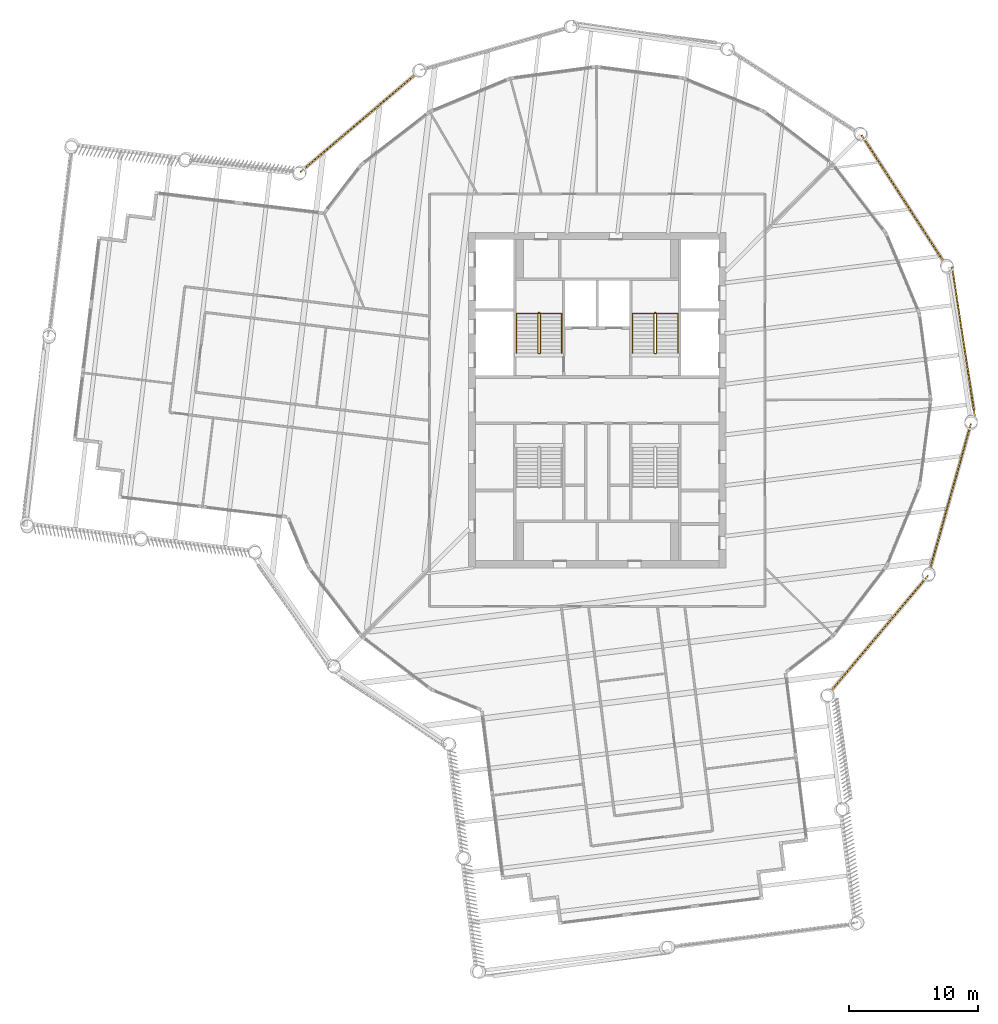
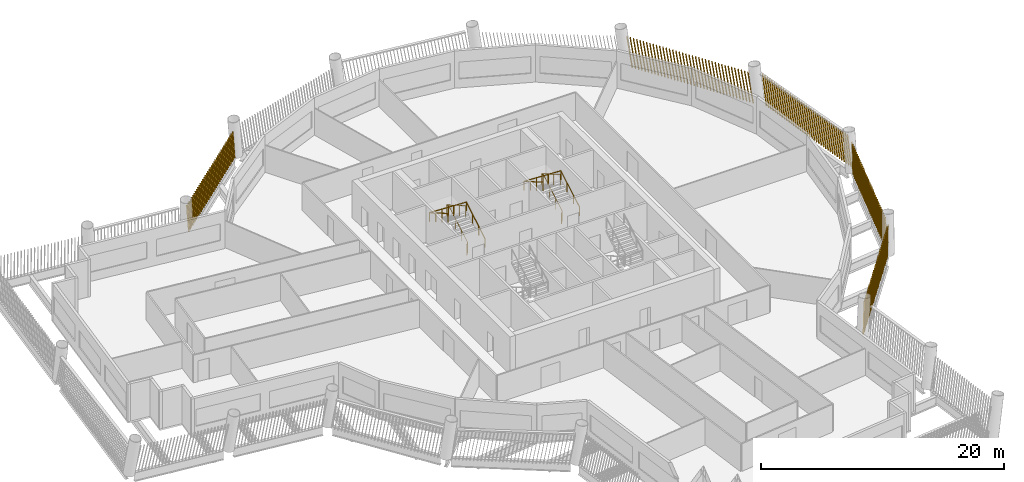
# One storey, part 12 of 14: 5 shading devices, 4 railings.
"""IFC4 building model written with IfcOpenShell, lengths in metres."""

from ifc_helpers import new_model, si_unit, direction, frame, frame_2d, origin, origin_2d, place, context, subcontext, project, spatial, rectangle, circle, composite_profile, extrude, material, type_object, element, save


model = new_model("IFC4")

# Units and contexts
model_context = context("Model", 3, precision=1e-05, world=origin(), true_north=direction((0.0, 1.0)))
body_context = subcontext(model_context, "Body", "Model", "MODEL_VIEW")
ifc_project = project(units=[si_unit("LENGTHUNIT", "METRE"), si_unit("AREAUNIT", "SQUARE_METRE"), si_unit("VOLUMEUNIT", "CUBIC_METRE"), si_unit("PLANEANGLEUNIT", "RADIAN"), si_unit("MASSUNIT", "GRAM", prefix="KILO")], contexts=[model_context])

# Site, building, storey
site_placement = place(None, origin())
site = spatial("IfcSite", under=ifc_project, at=site_placement, CompositionType="ELEMENT")
building_placement = place(site_placement, origin())
building = spatial("IfcBuilding", under=site, at=building_placement, Name="Tarsis Ring Headquarters", CompositionType="ELEMENT")
storey_placement = place(building_placement, frame((0.0, 0.0, 259.10009765625)))
storey = spatial("IfcBuildingStorey", under=building, at=storey_placement, Name="L60", CompositionType="ELEMENT", Elevation=259.10009765625)

# Railings
ifc_material_1 = material(Name="Steel S355", Category="steel")
railing_type_1 = type_object("IfcRailingType", Name="Core stair guard 1100", PredefinedType="GUARDRAIL", material=ifc_material_1)
railing_1_placement = place(storey_placement, frame((-4.5400390625, 3.610107421875, 0.0)))
element("IfcRailing", 1, at=railing_1_placement, inside=storey, type_object=railing_type_1, Name="L60 ST1 stair guard 1", PredefinedType="GUARDRAIL", context=body_context, shape_type="SweptSolid", body=[
    extrude(circle(Radius=0.02392578125, at=origin_2d()), frame((0.0, 0.0, 1.076171875), z_axis=(1.0, 0.0, 0.0), x_axis=(0.0, 1.0, 0.0)), (0.0, 0.0, 1.0), 0.080078125),
    extrude(circle(Radius=0.02392578125, at=origin_2d()), frame((0.080078125, 0.0, 1.076171875), z_axis=(0.282693820306, 0.281314826061, 0.917031173188), x_axis=(-0.705375805398, 0.708833529934, 0.0)), (0.0, 0.0, 1.0), 0.177001953125),
    extrude(circle(Radius=0.02392578125, at=origin_2d()), frame((0.130126953125, 0.0498046875, 1.23828125), z_axis=(0.0, 0.864890721111, 0.501960198159), x_axis=(-1.0, 0.0, 0.0)), (0.0, 0.0, 1.0), 3.561279296875),
    extrude(circle(Radius=0.02392578125, at=origin_2d()), frame((0.130126953125, 3.1298828125, 3.02587890625), z_axis=(-0.707106781187, 0.707106781187, 0.0), x_axis=(-0.707106781187, -0.707106781187, 0.0)), (0.0, 0.0, 1.0), 0.07080078125),
    extrude(circle(Radius=0.02392578125, at=origin_2d()), frame((0.080078125, 3.179931640625, 3.02587890625), z_axis=(-1.0, 0.0, 0.0), x_axis=(0.0, -1.0, 0.0)), (0.0, 0.0, 1.0), 0.080078125),
    extrude(circle(Radius=0.02392578125, at=origin_2d()), frame((0.0, 3.179931640625, 3.02587890625), z_axis=(-0.282583949758, -0.282583949758, 0.916674763849), x_axis=(0.707106781187, -0.707106781187, 0.0)), (0.0, 0.0, 1.0), 0.177001953125),
    extrude(circle(Radius=0.02392578125, at=origin_2d()), frame((-0.050048828125, 3.1298828125, 3.1884765625), z_axis=(0.0, -0.864890721111, 0.501960198159), x_axis=(1.0, 0.0, 0.0)), (0.0, 0.0, 1.0), 3.561279296875),
    extrude(circle(Radius=0.02099609375, at=origin_2d()), origin(), (0.0, 0.0, 1.0), 1.052001953125),
    extrude(circle(Radius=0.02099609375, at=origin_2d()), frame((0.080078125, 0.0, 0.0)), (0.0, 0.0, 1.0), 1.052001953125),
    extrude(circle(Radius=0.02099609375, at=origin_2d()), frame((0.130126953125, 0.0498046875, 0.162353515625)), (0.0, 0.0, 1.0), 1.052001953125),
    extrude(circle(Radius=0.02099609375, at=origin_2d()), frame((0.130126953125, 1.076416015625, 0.75830078125)), (0.0, 0.0, 1.0), 1.052001953125),
    extrude(circle(Radius=0.02099609375, at=origin_2d()), frame((0.130126953125, 2.103271484375, 1.35400390625)), (0.0, 0.0, 1.0), 1.052001953125),
    extrude(circle(Radius=0.02099609375, at=origin_2d()), frame((0.130126953125, 3.1298828125, 1.949951171875)), (0.0, 0.0, 1.0), 1.052001953125),
    extrude(circle(Radius=0.02099609375, at=origin_2d()), frame((0.080078125, 3.179931640625, 1.949951171875)), (0.0, 0.0, 1.0), 1.052001953125),
    extrude(circle(Radius=0.02099609375, at=origin_2d()), frame((0.0, 3.179931640625, 1.949951171875)), (0.0, 0.0, 1.0), 1.052001953125),
    extrude(circle(Radius=0.02099609375, at=origin_2d()), frame((-0.050048828125, 3.1298828125, 2.1123046875)), (0.0, 0.0, 1.0), 1.052001953125),
    extrude(circle(Radius=0.02099609375, at=origin_2d()), frame((-0.050048828125, 2.103271484375, 2.708251953125)), (0.0, 0.0, 1.0), 1.052001953125),
    extrude(circle(Radius=0.02099609375, at=origin_2d()), frame((-0.050048828125, 1.076416015625, 3.303955078125)), (0.0, 0.0, 1.0), 1.052001953125),
    extrude(circle(Radius=0.02099609375, at=origin_2d()), frame((-0.050048828125, 0.0498046875, 3.89990234375)), (0.0, 0.0, 1.0), 1.052001953125),
])
railing_2_placement = place(storey_placement, frame((4.4599609375, 3.610107421875, 0.0)))
element("IfcRailing", 2, at=railing_2_placement, inside=storey, type_object=railing_type_1, Name="L60 ST2 stair guard 1", PredefinedType="GUARDRAIL", context=body_context, shape_type="SweptSolid", body=[
    extrude(circle(Radius=0.02392578125, at=origin_2d()), frame((0.0, 0.0, 1.076171875), z_axis=(1.0, 0.0, 0.0), x_axis=(0.0, 1.0, 0.0)), (0.0, 0.0, 1.0), 0.080078125),
    extrude(circle(Radius=0.02392578125, at=origin_2d()), frame((0.080078125, 0.0, 1.076171875), z_axis=(0.282693820306, 0.281314826061, 0.917031173188), x_axis=(-0.705375805398, 0.708833529934, 0.0)), (0.0, 0.0, 1.0), 0.177001953125),
    extrude(circle(Radius=0.02392578125, at=origin_2d()), frame((0.130126953125, 0.0498046875, 1.23828125), z_axis=(0.0, 0.864890721111, 0.501960198159), x_axis=(-1.0, 0.0, 0.0)), (0.0, 0.0, 1.0), 3.561279296875),
    extrude(circle(Radius=0.02392578125, at=origin_2d()), frame((0.130126953125, 3.1298828125, 3.02587890625), z_axis=(-0.707106781187, 0.707106781187, 0.0), x_axis=(-0.707106781187, -0.707106781187, 0.0)), (0.0, 0.0, 1.0), 0.07080078125),
    extrude(circle(Radius=0.02392578125, at=origin_2d()), frame((0.080078125, 3.179931640625, 3.02587890625), z_axis=(-1.0, 0.0, 0.0), x_axis=(0.0, -1.0, 0.0)), (0.0, 0.0, 1.0), 0.080078125),
    extrude(circle(Radius=0.02392578125, at=origin_2d()), frame((0.0, 3.179931640625, 3.02587890625), z_axis=(-0.282583949758, -0.282583949758, 0.916674763849), x_axis=(0.707106781187, -0.707106781187, 0.0)), (0.0, 0.0, 1.0), 0.177001953125),
    extrude(circle(Radius=0.02392578125, at=origin_2d()), frame((-0.050048828125, 3.1298828125, 3.1884765625), z_axis=(0.0, -0.864890721111, 0.501960198159), x_axis=(1.0, 0.0, 0.0)), (0.0, 0.0, 1.0), 3.561279296875),
    extrude(circle(Radius=0.02099609375, at=origin_2d()), origin(), (0.0, 0.0, 1.0), 1.052001953125),
    extrude(circle(Radius=0.02099609375, at=origin_2d()), frame((0.080078125, 0.0, 0.0)), (0.0, 0.0, 1.0), 1.052001953125),
    extrude(circle(Radius=0.02099609375, at=origin_2d()), frame((0.130126953125, 0.0498046875, 0.162353515625)), (0.0, 0.0, 1.0), 1.052001953125),
    extrude(circle(Radius=0.02099609375, at=origin_2d()), frame((0.130126953125, 1.076416015625, 0.75830078125)), (0.0, 0.0, 1.0), 1.052001953125),
    extrude(circle(Radius=0.02099609375, at=origin_2d()), frame((0.130126953125, 2.103271484375, 1.35400390625)), (0.0, 0.0, 1.0), 1.052001953125),
    extrude(circle(Radius=0.02099609375, at=origin_2d()), frame((0.130126953125, 3.1298828125, 1.949951171875)), (0.0, 0.0, 1.0), 1.052001953125),
    extrude(circle(Radius=0.02099609375, at=origin_2d()), frame((0.080078125, 3.179931640625, 1.949951171875)), (0.0, 0.0, 1.0), 1.052001953125),
    extrude(circle(Radius=0.02099609375, at=origin_2d()), frame((0.0, 3.179931640625, 1.949951171875)), (0.0, 0.0, 1.0), 1.052001953125),
    extrude(circle(Radius=0.02099609375, at=origin_2d()), frame((-0.050048828125, 3.1298828125, 2.1123046875)), (0.0, 0.0, 1.0), 1.052001953125),
    extrude(circle(Radius=0.02099609375, at=origin_2d()), frame((-0.050048828125, 2.103271484375, 2.708251953125)), (0.0, 0.0, 1.0), 1.052001953125),
    extrude(circle(Radius=0.02099609375, at=origin_2d()), frame((-0.050048828125, 1.076416015625, 3.303955078125)), (0.0, 0.0, 1.0), 1.052001953125),
    extrude(circle(Radius=0.02099609375, at=origin_2d()), frame((-0.050048828125, 0.0498046875, 3.89990234375)), (0.0, 0.0, 1.0), 1.052001953125),
])
railing_type_2 = type_object("IfcRailingType", Name="Core stair handrail 900", PredefinedType="HANDRAIL", material=ifc_material_1)
railing_3_placement = place(storey_placement, frame((-2.75, 3.659912109375, 0.162353515625)))
element("IfcRailing", 3, at=railing_3_placement, inside=storey, type_object=railing_type_2, Name="L60 ST1 stair handrail 1", PredefinedType="HANDRAIL", context=body_context, shape_type="SweptSolid", body=[
    extrude(circle(Radius=0.02392578125, at=origin_2d()), frame((0.0, 0.0, 0.8759765625), z_axis=(0.0, 0.864890721111, 0.501960198159), x_axis=(-1.0, 0.0, 0.0)), (0.0, 0.0, 1.0), 3.561279296875),
    extrude(circle(Radius=0.02392578125, at=origin_2d()), frame((0.0, 3.080078125, 2.66357421875), z_axis=(-0.998925869279, 0.0, 0.04633689335), x_axis=(0.0, -1.0, 0.0)), (0.0, 0.0, 1.0), 3.503662109375),
    extrude(circle(Radius=0.02392578125, at=origin_2d()), frame((-3.5, 3.080078125, 2.82568359375), z_axis=(0.0, -0.864890721111, 0.501960198159), x_axis=(1.0, 0.0, 0.0)), (0.0, 0.0, 1.0), 3.561279296875),
    extrude(circle(Radius=0.02099609375, at=origin_2d()), origin(), (0.0, 0.0, 1.0), 0.851806640625),
    extrude(circle(Radius=0.02099609375, at=origin_2d()), frame((0.0, 1.026611328125, 0.595947265625)), (0.0, 0.0, 1.0), 0.851806640625),
    extrude(circle(Radius=0.02099609375, at=origin_2d()), frame((0.0, 2.053466796875, 1.191650390625)), (0.0, 0.0, 1.0), 0.851806640625),
    extrude(circle(Radius=0.02099609375, at=origin_2d()), frame((0.0, 3.080078125, 1.78759765625)), (0.0, 0.0, 1.0), 0.851806640625),
    extrude(circle(Radius=0.02099609375, at=origin_2d()), frame((-1.166748046875, 3.080078125, 1.841796875)), (0.0, 0.0, 1.0), 0.851806640625),
    extrude(circle(Radius=0.02099609375, at=origin_2d()), frame((-2.333251953125, 3.080078125, 1.895751953125)), (0.0, 0.0, 1.0), 0.851806640625),
    extrude(circle(Radius=0.02099609375, at=origin_2d()), frame((-3.5, 3.080078125, 1.949951171875)), (0.0, 0.0, 1.0), 0.851806640625),
    extrude(circle(Radius=0.02099609375, at=origin_2d()), frame((-3.5, 2.053466796875, 2.5458984375)), (0.0, 0.0, 1.0), 0.851806640625),
    extrude(circle(Radius=0.02099609375, at=origin_2d()), frame((-3.5, 1.026611328125, 3.1416015625)), (0.0, 0.0, 1.0), 0.851806640625),
    extrude(circle(Radius=0.02099609375, at=origin_2d()), frame((-3.5, 0.0, 3.737548828125)), (0.0, 0.0, 1.0), 0.851806640625),
])
railing_4_placement = place(storey_placement, frame((6.25, 3.659912109375, 0.162353515625)))
element("IfcRailing", 4, at=railing_4_placement, inside=storey, type_object=railing_type_2, Name="L60 ST2 stair handrail 1", PredefinedType="HANDRAIL", context=body_context, shape_type="SweptSolid", body=[
    extrude(circle(Radius=0.02392578125, at=origin_2d()), frame((0.0, 0.0, 0.8759765625), z_axis=(0.0, 0.864890721111, 0.501960198159), x_axis=(-1.0, 0.0, 0.0)), (0.0, 0.0, 1.0), 3.561279296875),
    extrude(circle(Radius=0.02392578125, at=origin_2d()), frame((0.0, 3.080078125, 2.66357421875), z_axis=(-0.998925869279, 0.0, 0.04633689335), x_axis=(0.0, -1.0, 0.0)), (0.0, 0.0, 1.0), 3.503662109375),
    extrude(circle(Radius=0.02392578125, at=origin_2d()), frame((-3.5, 3.080078125, 2.82568359375), z_axis=(0.0, -0.864890721111, 0.501960198159), x_axis=(1.0, 0.0, 0.0)), (0.0, 0.0, 1.0), 3.561279296875),
    extrude(circle(Radius=0.02099609375, at=origin_2d()), origin(), (0.0, 0.0, 1.0), 0.851806640625),
    extrude(circle(Radius=0.02099609375, at=origin_2d()), frame((0.0, 1.026611328125, 0.595947265625)), (0.0, 0.0, 1.0), 0.851806640625),
    extrude(circle(Radius=0.02099609375, at=origin_2d()), frame((0.0, 2.053466796875, 1.191650390625)), (0.0, 0.0, 1.0), 0.851806640625),
    extrude(circle(Radius=0.02099609375, at=origin_2d()), frame((0.0, 3.080078125, 1.78759765625)), (0.0, 0.0, 1.0), 0.851806640625),
    extrude(circle(Radius=0.02099609375, at=origin_2d()), frame((-1.166748046875, 3.080078125, 1.841796875)), (0.0, 0.0, 1.0), 0.851806640625),
    extrude(circle(Radius=0.02099609375, at=origin_2d()), frame((-2.333251953125, 3.080078125, 1.895751953125)), (0.0, 0.0, 1.0), 0.851806640625),
    extrude(circle(Radius=0.02099609375, at=origin_2d()), frame((-3.5, 3.080078125, 1.949951171875)), (0.0, 0.0, 1.0), 0.851806640625),
    extrude(circle(Radius=0.02099609375, at=origin_2d()), frame((-3.5, 2.053466796875, 2.5458984375)), (0.0, 0.0, 1.0), 0.851806640625),
    extrude(circle(Radius=0.02099609375, at=origin_2d()), frame((-3.5, 1.026611328125, 3.1416015625)), (0.0, 0.0, 1.0), 0.851806640625),
    extrude(circle(Radius=0.02099609375, at=origin_2d()), frame((-3.5, 0.0, 3.737548828125)), (0.0, 0.0, 1.0), 0.851806640625),
])

# Shading devices
ifc_material_2 = material(Name="Terracotta baguette", Category="masonry")
shading_device_type = type_object("IfcShadingDeviceType", Name="Terracotta baguette screen", PredefinedType="USERDEFINED", material=ifc_material_2)
shading_device_1_placement = place(storey_placement, frame((18.10595703125, -22.585693359375, 0.0), z_axis=(0.0, 0.0, 1.0), x_axis=(0.64384156267, 0.765165491047, 0.0)))
element("IfcShadingDevice", 5, at=shading_device_1_placement, inside=storey, type_object=shading_device_type, Name="Baguette screen L60-07", ObjectType="Terracotta baguette screen", PredefinedType="USERDEFINED", context=body_context, shape_type="SweptSolid", body=[
    extrude(composite_profile([rectangle(XDim=0.06005859375, YDim=0.1201171875, at=frame_2d((0.030029296875, 0.0))), rectangle(XDim=0.06005859375, YDim=0.1201171875, at=frame_2d((0.33251953125, 0.0))), rectangle(XDim=0.06005859375, YDim=0.1201171875, at=frame_2d((0.634765625, 0.0))), rectangle(XDim=0.06005859375, YDim=0.1201171875, at=frame_2d((0.937255859375, 0.0))), rectangle(XDim=0.06005859375, YDim=0.1201171875, at=frame_2d((1.239501953125, 0.0))), rectangle(XDim=0.06005859375, YDim=0.1201171875, at=frame_2d((1.5419921875, 0.0))), rectangle(XDim=0.06005859375, YDim=0.1201171875, at=frame_2d((1.844482421875, 0.0))), rectangle(XDim=0.06005859375, YDim=0.1201171875, at=frame_2d((2.146728515625, 0.0))), rectangle(XDim=0.06005859375, YDim=0.1201171875, at=frame_2d((2.44921875, 0.0))), rectangle(XDim=0.06005859375, YDim=0.1201171875, at=frame_2d((2.751708984375, 0.0))), rectangle(XDim=0.06005859375, YDim=0.1201171875, at=frame_2d((3.053955078125, 0.0))), rectangle(XDim=0.06005859375, YDim=0.1201171875, at=frame_2d((3.3564453125, 0.0))), rectangle(XDim=0.06005859375, YDim=0.1201171875, at=frame_2d((3.65869140625, 0.0))), rectangle(XDim=0.06005859375, YDim=0.1201171875, at=frame_2d((3.961181640625, 0.0))), rectangle(XDim=0.06005859375, YDim=0.1201171875, at=frame_2d((4.263671875, 0.0))), rectangle(XDim=0.06005859375, YDim=0.1201171875, at=frame_2d((4.56591796875, 0.0))), rectangle(XDim=0.06005859375, YDim=0.1201171875, at=frame_2d((4.868408203125, 0.0))), rectangle(XDim=0.06005859375, YDim=0.1201171875, at=frame_2d((5.1708984375, 0.0))), rectangle(XDim=0.06005859375, YDim=0.1201171875, at=frame_2d((5.47314453125, 0.0))), rectangle(XDim=0.06005859375, YDim=0.1201171875, at=frame_2d((5.775634765625, 0.0))), rectangle(XDim=0.06005859375, YDim=0.1201171875, at=frame_2d((6.077880859375, 0.0))), rectangle(XDim=0.06005859375, YDim=0.1201171875, at=frame_2d((6.38037109375, 0.0))), rectangle(XDim=0.06005859375, YDim=0.1201171875, at=frame_2d((6.682861328125, 0.0))), rectangle(XDim=0.06005859375, YDim=0.1201171875, at=frame_2d((6.985107421875, 0.0))), rectangle(XDim=0.06005859375, YDim=0.1201171875, at=frame_2d((7.28759765625, 0.0))), rectangle(XDim=0.06005859375, YDim=0.1201171875, at=frame_2d((7.590087890625, 0.0))), rectangle(XDim=0.06005859375, YDim=0.1201171875, at=frame_2d((7.892333984375, 0.0))), rectangle(XDim=0.06005859375, YDim=0.1201171875, at=frame_2d((8.19482421875, 0.0))), rectangle(XDim=0.06005859375, YDim=0.1201171875, at=frame_2d((8.4970703125, 0.0))), rectangle(XDim=0.06005859375, YDim=0.1201171875, at=frame_2d((8.799560546875, 0.0))), rectangle(XDim=0.06005859375, YDim=0.1201171875, at=frame_2d((9.10205078125, 0.0))), rectangle(XDim=0.06005859375, YDim=0.1201171875, at=frame_2d((9.404296875, 0.0))), rectangle(XDim=0.06005859375, YDim=0.1201171875, at=frame_2d((9.706787109375, 0.0))), rectangle(XDim=0.06005859375, YDim=0.1201171875, at=frame_2d((10.00927734375, 0.0))), rectangle(XDim=0.06005859375, YDim=0.1201171875, at=frame_2d((10.3115234375, 0.0))), rectangle(XDim=0.06005859375, YDim=0.1201171875, at=frame_2d((10.614013671875, 0.0))), rectangle(XDim=0.06005859375, YDim=0.1201171875, at=frame_2d((10.916259765625, 0.0))), rectangle(XDim=0.06005859375, YDim=0.1201171875, at=frame_2d((11.21875, 0.0)))]), origin(), (0.16470430071, 0.001437129642, 0.986341942729), 3.0087890625),
])
shading_device_2_placement = place(storey_placement, frame((25.805908203125, -13.11474609375, 0.0), z_axis=(0.0, 0.0, 1.0), x_axis=(0.271209983722, 0.962517634292, 0.0)))
element("IfcShadingDevice", 6, at=shading_device_2_placement, inside=storey, type_object=shading_device_type, Name="Baguette screen L60-08", ObjectType="Terracotta baguette screen", PredefinedType="USERDEFINED", context=body_context, shape_type="SweptSolid", body=[
    extrude(composite_profile([rectangle(XDim=0.06005859375, YDim=0.1201171875, at=frame_2d((0.030029296875, 0.0))), rectangle(XDim=0.06005859375, YDim=0.1201171875, at=frame_2d((0.33251953125, 0.0))), rectangle(XDim=0.06005859375, YDim=0.1201171875, at=frame_2d((0.634765625, 0.0))), rectangle(XDim=0.06005859375, YDim=0.1201171875, at=frame_2d((0.937255859375, 0.0))), rectangle(XDim=0.06005859375, YDim=0.1201171875, at=frame_2d((1.239501953125, 0.0))), rectangle(XDim=0.06005859375, YDim=0.1201171875, at=frame_2d((1.5419921875, 0.0))), rectangle(XDim=0.06005859375, YDim=0.1201171875, at=frame_2d((1.844482421875, 0.0))), rectangle(XDim=0.06005859375, YDim=0.1201171875, at=frame_2d((2.146728515625, 0.0))), rectangle(XDim=0.06005859375, YDim=0.1201171875, at=frame_2d((2.44921875, 0.0))), rectangle(XDim=0.06005859375, YDim=0.1201171875, at=frame_2d((2.751708984375, 0.0))), rectangle(XDim=0.06005859375, YDim=0.1201171875, at=frame_2d((3.053955078125, 0.0))), rectangle(XDim=0.06005859375, YDim=0.1201171875, at=frame_2d((3.3564453125, 0.0))), rectangle(XDim=0.06005859375, YDim=0.1201171875, at=frame_2d((3.65869140625, 0.0))), rectangle(XDim=0.06005859375, YDim=0.1201171875, at=frame_2d((3.961181640625, 0.0))), rectangle(XDim=0.06005859375, YDim=0.1201171875, at=frame_2d((4.263671875, 0.0))), rectangle(XDim=0.06005859375, YDim=0.1201171875, at=frame_2d((4.56591796875, 0.0))), rectangle(XDim=0.06005859375, YDim=0.1201171875, at=frame_2d((4.868408203125, 0.0))), rectangle(XDim=0.06005859375, YDim=0.1201171875, at=frame_2d((5.1708984375, 0.0))), rectangle(XDim=0.06005859375, YDim=0.1201171875, at=frame_2d((5.47314453125, 0.0))), rectangle(XDim=0.06005859375, YDim=0.1201171875, at=frame_2d((5.775634765625, 0.0))), rectangle(XDim=0.06005859375, YDim=0.1201171875, at=frame_2d((6.077880859375, 0.0))), rectangle(XDim=0.06005859375, YDim=0.1201171875, at=frame_2d((6.38037109375, 0.0))), rectangle(XDim=0.06005859375, YDim=0.1201171875, at=frame_2d((6.682861328125, 0.0))), rectangle(XDim=0.06005859375, YDim=0.1201171875, at=frame_2d((6.985107421875, 0.0))), rectangle(XDim=0.06005859375, YDim=0.1201171875, at=frame_2d((7.28759765625, 0.0))), rectangle(XDim=0.06005859375, YDim=0.1201171875, at=frame_2d((7.590087890625, 0.0))), rectangle(XDim=0.06005859375, YDim=0.1201171875, at=frame_2d((7.892333984375, 0.0))), rectangle(XDim=0.06005859375, YDim=0.1201171875, at=frame_2d((8.19482421875, 0.0))), rectangle(XDim=0.06005859375, YDim=0.1201171875, at=frame_2d((8.4970703125, 0.0))), rectangle(XDim=0.06005859375, YDim=0.1201171875, at=frame_2d((8.799560546875, 0.0))), rectangle(XDim=0.06005859375, YDim=0.1201171875, at=frame_2d((9.10205078125, 0.0))), rectangle(XDim=0.06005859375, YDim=0.1201171875, at=frame_2d((9.404296875, 0.0))), rectangle(XDim=0.06005859375, YDim=0.1201171875, at=frame_2d((9.706787109375, 0.0))), rectangle(XDim=0.06005859375, YDim=0.1201171875, at=frame_2d((10.00927734375, 0.0))), rectangle(XDim=0.06005859375, YDim=0.1201171875, at=frame_2d((10.3115234375, 0.0))), rectangle(XDim=0.06005859375, YDim=0.1201171875, at=frame_2d((10.614013671875, 0.0))), rectangle(XDim=0.06005859375, YDim=0.1201171875, at=frame_2d((10.916259765625, 0.0))), rectangle(XDim=0.06005859375, YDim=0.1201171875, at=frame_2d((11.21875, 0.0)))]), origin(), (0.164703038028, 0.001437490302, 0.986342153051), 3.0087890625),
])
shading_device_3_placement = place(storey_placement, frame((29.288330078125, -1.255859375, 0.0), z_axis=(0.0, 0.0, 1.0), x_axis=(-0.149644066325, 0.988736001389, 0.0)))
element("IfcShadingDevice", 7, at=shading_device_3_placement, inside=storey, type_object=shading_device_type, Name="Baguette screen L60-09", ObjectType="Terracotta baguette screen", PredefinedType="USERDEFINED", context=body_context, shape_type="SweptSolid", body=[
    extrude(composite_profile([rectangle(XDim=0.06005859375, YDim=0.1201171875, at=frame_2d((0.030029296875, 0.0))), rectangle(XDim=0.06005859375, YDim=0.1201171875, at=frame_2d((0.33251953125, 0.0))), rectangle(XDim=0.06005859375, YDim=0.1201171875, at=frame_2d((0.634765625, 0.0))), rectangle(XDim=0.06005859375, YDim=0.1201171875, at=frame_2d((0.937255859375, 0.0))), rectangle(XDim=0.06005859375, YDim=0.1201171875, at=frame_2d((1.239501953125, 0.0))), rectangle(XDim=0.06005859375, YDim=0.1201171875, at=frame_2d((1.5419921875, 0.0))), rectangle(XDim=0.06005859375, YDim=0.1201171875, at=frame_2d((1.844482421875, 0.0))), rectangle(XDim=0.06005859375, YDim=0.1201171875, at=frame_2d((2.146728515625, 0.0))), rectangle(XDim=0.06005859375, YDim=0.1201171875, at=frame_2d((2.44921875, 0.0))), rectangle(XDim=0.06005859375, YDim=0.1201171875, at=frame_2d((2.751708984375, 0.0))), rectangle(XDim=0.06005859375, YDim=0.1201171875, at=frame_2d((3.053955078125, 0.0))), rectangle(XDim=0.06005859375, YDim=0.1201171875, at=frame_2d((3.3564453125, 0.0))), rectangle(XDim=0.06005859375, YDim=0.1201171875, at=frame_2d((3.65869140625, 0.0))), rectangle(XDim=0.06005859375, YDim=0.1201171875, at=frame_2d((3.961181640625, 0.0))), rectangle(XDim=0.06005859375, YDim=0.1201171875, at=frame_2d((4.263671875, 0.0))), rectangle(XDim=0.06005859375, YDim=0.1201171875, at=frame_2d((4.56591796875, 0.0))), rectangle(XDim=0.06005859375, YDim=0.1201171875, at=frame_2d((4.868408203125, 0.0))), rectangle(XDim=0.06005859375, YDim=0.1201171875, at=frame_2d((5.1708984375, 0.0))), rectangle(XDim=0.06005859375, YDim=0.1201171875, at=frame_2d((5.47314453125, 0.0))), rectangle(XDim=0.06005859375, YDim=0.1201171875, at=frame_2d((5.775634765625, 0.0))), rectangle(XDim=0.06005859375, YDim=0.1201171875, at=frame_2d((6.077880859375, 0.0))), rectangle(XDim=0.06005859375, YDim=0.1201171875, at=frame_2d((6.38037109375, 0.0))), rectangle(XDim=0.06005859375, YDim=0.1201171875, at=frame_2d((6.682861328125, 0.0))), rectangle(XDim=0.06005859375, YDim=0.1201171875, at=frame_2d((6.985107421875, 0.0))), rectangle(XDim=0.06005859375, YDim=0.1201171875, at=frame_2d((7.28759765625, 0.0))), rectangle(XDim=0.06005859375, YDim=0.1201171875, at=frame_2d((7.590087890625, 0.0))), rectangle(XDim=0.06005859375, YDim=0.1201171875, at=frame_2d((7.892333984375, 0.0))), rectangle(XDim=0.06005859375, YDim=0.1201171875, at=frame_2d((8.19482421875, 0.0))), rectangle(XDim=0.06005859375, YDim=0.1201171875, at=frame_2d((8.4970703125, 0.0))), rectangle(XDim=0.06005859375, YDim=0.1201171875, at=frame_2d((8.799560546875, 0.0))), rectangle(XDim=0.06005859375, YDim=0.1201171875, at=frame_2d((9.10205078125, 0.0))), rectangle(XDim=0.06005859375, YDim=0.1201171875, at=frame_2d((9.404296875, 0.0))), rectangle(XDim=0.06005859375, YDim=0.1201171875, at=frame_2d((9.706787109375, 0.0))), rectangle(XDim=0.06005859375, YDim=0.1201171875, at=frame_2d((10.00927734375, 0.0))), rectangle(XDim=0.06005859375, YDim=0.1201171875, at=frame_2d((10.3115234375, 0.0))), rectangle(XDim=0.06005859375, YDim=0.1201171875, at=frame_2d((10.614013671875, 0.0))), rectangle(XDim=0.06005859375, YDim=0.1201171875, at=frame_2d((10.916259765625, 0.0))), rectangle(XDim=0.06005859375, YDim=0.1201171875, at=frame_2d((11.21875, 0.0)))]), origin(), (0.166817761798, 0.001455641655, 0.985986671034), 3.010009765625),
])
shading_device_4_placement = place(storey_placement, frame((26.887451171875, 10.724365234375, 0.0), z_axis=(0.0, 0.0, 1.0), x_axis=(-0.543895822029, 0.839153553988, 0.0)))
element("IfcShadingDevice", 8, at=shading_device_4_placement, inside=storey, type_object=shading_device_type, Name="Baguette screen L60-10", ObjectType="Terracotta baguette screen", PredefinedType="USERDEFINED", context=body_context, shape_type="SweptSolid", body=[
    extrude(composite_profile([rectangle(XDim=0.06005859375, YDim=0.1201171875, at=frame_2d((0.030029296875, 0.0))), rectangle(XDim=0.06005859375, YDim=0.1201171875, at=frame_2d((0.33251953125, 0.0))), rectangle(XDim=0.06005859375, YDim=0.1201171875, at=frame_2d((0.634765625, 0.0))), rectangle(XDim=0.06005859375, YDim=0.1201171875, at=frame_2d((0.937255859375, 0.0))), rectangle(XDim=0.06005859375, YDim=0.1201171875, at=frame_2d((1.239501953125, 0.0))), rectangle(XDim=0.06005859375, YDim=0.1201171875, at=frame_2d((1.5419921875, 0.0))), rectangle(XDim=0.06005859375, YDim=0.1201171875, at=frame_2d((1.844482421875, 0.0))), rectangle(XDim=0.06005859375, YDim=0.1201171875, at=frame_2d((2.146728515625, 0.0))), rectangle(XDim=0.06005859375, YDim=0.1201171875, at=frame_2d((2.44921875, 0.0))), rectangle(XDim=0.06005859375, YDim=0.1201171875, at=frame_2d((2.751708984375, 0.0))), rectangle(XDim=0.06005859375, YDim=0.1201171875, at=frame_2d((3.053955078125, 0.0))), rectangle(XDim=0.06005859375, YDim=0.1201171875, at=frame_2d((3.3564453125, 0.0))), rectangle(XDim=0.06005859375, YDim=0.1201171875, at=frame_2d((3.65869140625, 0.0))), rectangle(XDim=0.06005859375, YDim=0.1201171875, at=frame_2d((3.961181640625, 0.0))), rectangle(XDim=0.06005859375, YDim=0.1201171875, at=frame_2d((4.263671875, 0.0))), rectangle(XDim=0.06005859375, YDim=0.1201171875, at=frame_2d((4.56591796875, 0.0))), rectangle(XDim=0.06005859375, YDim=0.1201171875, at=frame_2d((4.868408203125, 0.0))), rectangle(XDim=0.06005859375, YDim=0.1201171875, at=frame_2d((5.1708984375, 0.0))), rectangle(XDim=0.06005859375, YDim=0.1201171875, at=frame_2d((5.47314453125, 0.0))), rectangle(XDim=0.06005859375, YDim=0.1201171875, at=frame_2d((5.775634765625, 0.0))), rectangle(XDim=0.06005859375, YDim=0.1201171875, at=frame_2d((6.077880859375, 0.0))), rectangle(XDim=0.06005859375, YDim=0.1201171875, at=frame_2d((6.38037109375, 0.0))), rectangle(XDim=0.06005859375, YDim=0.1201171875, at=frame_2d((6.682861328125, 0.0))), rectangle(XDim=0.06005859375, YDim=0.1201171875, at=frame_2d((6.985107421875, 0.0))), rectangle(XDim=0.06005859375, YDim=0.1201171875, at=frame_2d((7.28759765625, 0.0))), rectangle(XDim=0.06005859375, YDim=0.1201171875, at=frame_2d((7.590087890625, 0.0))), rectangle(XDim=0.06005859375, YDim=0.1201171875, at=frame_2d((7.892333984375, 0.0))), rectangle(XDim=0.06005859375, YDim=0.1201171875, at=frame_2d((8.19482421875, 0.0))), rectangle(XDim=0.06005859375, YDim=0.1201171875, at=frame_2d((8.4970703125, 0.0))), rectangle(XDim=0.06005859375, YDim=0.1201171875, at=frame_2d((8.799560546875, 0.0))), rectangle(XDim=0.06005859375, YDim=0.1201171875, at=frame_2d((9.10205078125, 0.0))), rectangle(XDim=0.06005859375, YDim=0.1201171875, at=frame_2d((9.404296875, 0.0))), rectangle(XDim=0.06005859375, YDim=0.1201171875, at=frame_2d((9.706787109375, 0.0))), rectangle(XDim=0.06005859375, YDim=0.1201171875, at=frame_2d((10.00927734375, 0.0))), rectangle(XDim=0.06005859375, YDim=0.1201171875, at=frame_2d((10.3115234375, 0.0))), rectangle(XDim=0.06005859375, YDim=0.1201171875, at=frame_2d((10.614013671875, 0.0))), rectangle(XDim=0.06005859375, YDim=0.1201171875, at=frame_2d((10.916259765625, 0.0))), rectangle(XDim=0.06005859375, YDim=0.1201171875, at=frame_2d((11.21875, 0.0)))]), origin(), (0.164703675864, 0.001436094442, 0.986342048576), 3.0087890625),
])
shading_device_5_placement = place(storey_placement, frame((-14.084716796875, 25.28955078125, 0.0), z_axis=(0.0, 0.0, 1.0), x_axis=(-0.76245252306, -0.647032013022, 0.0)))
element("IfcShadingDevice", 9, at=shading_device_5_placement, inside=storey, type_object=shading_device_type, Name="Baguette screen L60-14", ObjectType="Terracotta baguette screen", PredefinedType="USERDEFINED", context=body_context, shape_type="SweptSolid", body=[
    extrude(composite_profile([rectangle(XDim=0.06005859375, YDim=0.1201171875, at=frame_2d((0.030029296875, 0.0))), rectangle(XDim=0.06005859375, YDim=0.1201171875, at=frame_2d((0.33251953125, 0.0))), rectangle(XDim=0.06005859375, YDim=0.1201171875, at=frame_2d((0.634765625, 0.0))), rectangle(XDim=0.06005859375, YDim=0.1201171875, at=frame_2d((0.937255859375, 0.0))), rectangle(XDim=0.06005859375, YDim=0.1201171875, at=frame_2d((1.239501953125, 0.0))), rectangle(XDim=0.06005859375, YDim=0.1201171875, at=frame_2d((1.5419921875, 0.0))), rectangle(XDim=0.06005859375, YDim=0.1201171875, at=frame_2d((1.844482421875, 0.0))), rectangle(XDim=0.06005859375, YDim=0.1201171875, at=frame_2d((2.146728515625, 0.0))), rectangle(XDim=0.06005859375, YDim=0.1201171875, at=frame_2d((2.44921875, 0.0))), rectangle(XDim=0.06005859375, YDim=0.1201171875, at=frame_2d((2.751708984375, 0.0))), rectangle(XDim=0.06005859375, YDim=0.1201171875, at=frame_2d((3.053955078125, 0.0))), rectangle(XDim=0.06005859375, YDim=0.1201171875, at=frame_2d((3.3564453125, 0.0))), rectangle(XDim=0.06005859375, YDim=0.1201171875, at=frame_2d((3.65869140625, 0.0))), rectangle(XDim=0.06005859375, YDim=0.1201171875, at=frame_2d((3.961181640625, 0.0))), rectangle(XDim=0.06005859375, YDim=0.1201171875, at=frame_2d((4.263671875, 0.0))), rectangle(XDim=0.06005859375, YDim=0.1201171875, at=frame_2d((4.56591796875, 0.0))), rectangle(XDim=0.06005859375, YDim=0.1201171875, at=frame_2d((4.868408203125, 0.0))), rectangle(XDim=0.06005859375, YDim=0.1201171875, at=frame_2d((5.1708984375, 0.0))), rectangle(XDim=0.06005859375, YDim=0.1201171875, at=frame_2d((5.47314453125, 0.0))), rectangle(XDim=0.06005859375, YDim=0.1201171875, at=frame_2d((5.775634765625, 0.0))), rectangle(XDim=0.06005859375, YDim=0.1201171875, at=frame_2d((6.077880859375, 0.0))), rectangle(XDim=0.06005859375, YDim=0.1201171875, at=frame_2d((6.38037109375, 0.0))), rectangle(XDim=0.06005859375, YDim=0.1201171875, at=frame_2d((6.682861328125, 0.0))), rectangle(XDim=0.06005859375, YDim=0.1201171875, at=frame_2d((6.985107421875, 0.0))), rectangle(XDim=0.06005859375, YDim=0.1201171875, at=frame_2d((7.28759765625, 0.0))), rectangle(XDim=0.06005859375, YDim=0.1201171875, at=frame_2d((7.590087890625, 0.0))), rectangle(XDim=0.06005859375, YDim=0.1201171875, at=frame_2d((7.892333984375, 0.0))), rectangle(XDim=0.06005859375, YDim=0.1201171875, at=frame_2d((8.19482421875, 0.0))), rectangle(XDim=0.06005859375, YDim=0.1201171875, at=frame_2d((8.4970703125, 0.0))), rectangle(XDim=0.06005859375, YDim=0.1201171875, at=frame_2d((8.799560546875, 0.0))), rectangle(XDim=0.06005859375, YDim=0.1201171875, at=frame_2d((9.10205078125, 0.0))), rectangle(XDim=0.06005859375, YDim=0.1201171875, at=frame_2d((9.404296875, 0.0))), rectangle(XDim=0.06005859375, YDim=0.1201171875, at=frame_2d((9.706787109375, 0.0))), rectangle(XDim=0.06005859375, YDim=0.1201171875, at=frame_2d((10.00927734375, 0.0))), rectangle(XDim=0.06005859375, YDim=0.1201171875, at=frame_2d((10.3115234375, 0.0))), rectangle(XDim=0.06005859375, YDim=0.1201171875, at=frame_2d((10.614013671875, 0.0))), rectangle(XDim=0.06005859375, YDim=0.1201171875, at=frame_2d((10.916259765625, 0.0))), rectangle(XDim=0.06005859375, YDim=0.1201171875, at=frame_2d((11.21875, 0.0)))]), origin(), (0.164702086428, 0.001437736808, 0.986342311593), 3.0087890625),
])

save(model, "model.ifc")
